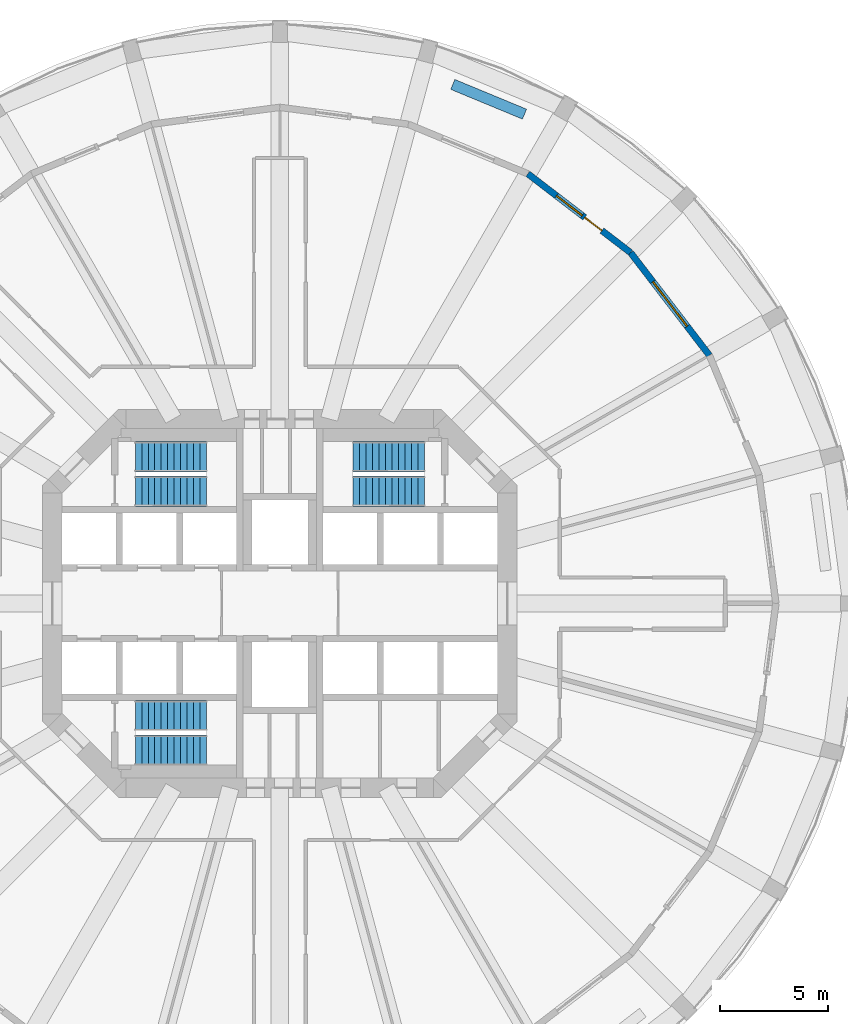
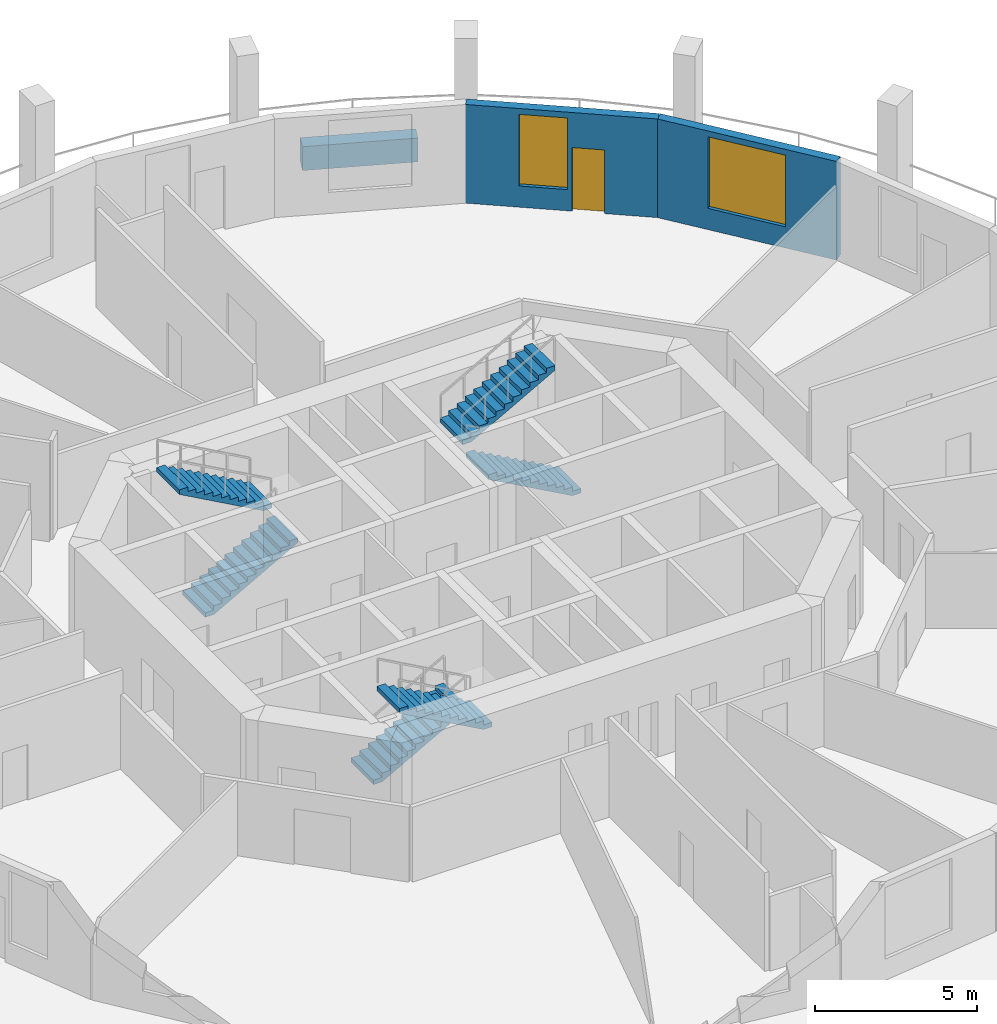
# One storey, part 7 of 9: 6 stair flights, 3 walls, 2 windows, 1 door, 3 openings, 3 elements without a shape of their own.
"""IFC4 building model written with IfcOpenShell, lengths in metres."""

import ifcopenshell
import ifcopenshell.guid

model = None  # the IFC model being written
_history = None  # IfcOwnerHistory: only IFC2X3 demands one
_inside = {}  # id of a spatial element -> (the spatial element, [elements in it])
_under = {}  # id of a project, library or spatial element -> (it, [spatial elements below it])
_declared = {}  # id of a project -> (the project, [libraries it declares])
_typed = {}  # id of a type object -> (the type object, [elements of that type])
_made_of = {}  # id of a material, layer set ... -> (it, [elements and type objects made of it])


def new_model(schema):
    """Start an empty IFC model of exactly this schema.

    Asked for "IFC4X3", IfcOpenShell would pick the latest addendum, in which some entities
    have other attributes; the version numbers below select the first issue.
    IFC2X3 requires an IfcOwnerHistory on every rooted entity: one is made here for all.
    """
    global model, _history
    if schema == "IFC4X3":
        model = ifcopenshell.file(schema_version=(4, 3, 0, 0))
    else:
        model = ifcopenshell.file(schema=schema)
    _inside.clear()
    _under.clear()
    _declared.clear()
    _typed.clear()
    _made_of.clear()
    _history = None
    if model.schema == "IFC2X3":
        org = make("IfcOrganization", Name="unknown")
        user = make(
            "IfcPersonAndOrganization",
            ThePerson=make("IfcPerson", FamilyName="unknown"),
            TheOrganization=org,
        )
        app = make(
            "IfcApplication",
            ApplicationDeveloper=org,
            Version="unknown",
            ApplicationFullName="unknown",
            ApplicationIdentifier="unknown",
        )
        _history = make(
            "IfcOwnerHistory",
            OwningUser=user,
            OwningApplication=app,
            ChangeAction="ADDED",
            CreationDate=0,
        )
    return model


def make(cls, **values):
    """One entity of the class cls with the attributes given. An attribute that is None is left unset."""
    return model.create_entity(
        cls, **{name: value for name, value in values.items() if value is not None}
    )


def rooted(cls, **values):
    """An entity with a GlobalId (a new one), such as an element, a storey or a relation."""
    return make(cls, GlobalId=ifcopenshell.guid.new(), OwnerHistory=_history, **values)


def si_unit(unit_type, name, prefix=None):
    """IfcSIUnit, for example si_unit("LENGTHUNIT", "METRE", prefix="MILLI")."""
    return make("IfcSIUnit", UnitType=unit_type, Prefix=prefix, Name=name)


def assignment(units):
    """IfcUnitAssignment: the units of a project."""
    return None if units is None else make("IfcUnitAssignment", Units=units)


def point(xyz):
    """IfcCartesianPoint."""
    return None if xyz is None else make("IfcCartesianPoint", Coordinates=xyz)


def direction(xyz):
    """IfcDirection."""
    return None if xyz is None else make("IfcDirection", DirectionRatios=xyz)


def frame(location, z_axis=None, x_axis=None):
    """IfcAxis2Placement3D, a coordinate frame: its origin and axes. An axis left out is left unset."""
    return make(
        "IfcAxis2Placement3D",
        Location=point(location),
        Axis=direction(z_axis),
        RefDirection=direction(x_axis),
    )


def frame_2d(location, x_axis=None):
    """IfcAxis2Placement2D, a coordinate frame in the plane: its origin and x axis."""
    return make(
        "IfcAxis2Placement2D", Location=point(location), RefDirection=direction(x_axis)
    )


def origin():
    """The frame at (0, 0, 0) with its axes left unset."""
    return frame((0.0, 0.0, 0.0))


def place(relative_to, where):
    """IfcLocalPlacement: puts the frame where relative to a parent placement (None: the world)."""
    return make(
        "IfcLocalPlacement", PlacementRelTo=relative_to, RelativePlacement=where
    )


def context(
    kind, dimensions, precision=None, world=None, true_north=None, identifier=None
):
    """IfcGeometricRepresentationContext, for example the 3D "Model" context."""
    return make(
        "IfcGeometricRepresentationContext",
        ContextIdentifier=identifier,
        ContextType=kind,
        CoordinateSpaceDimension=dimensions,
        Precision=precision,
        WorldCoordinateSystem=world,
        TrueNorth=true_north,
    )


def subcontext(parent, identifier, kind, view, scale=None):
    """IfcGeometricRepresentationSubContext, for example "Body" below "Model"."""
    return make(
        "IfcGeometricRepresentationSubContext",
        ContextIdentifier=identifier,
        ContextType=kind,
        ParentContext=parent,
        TargetScale=scale,
        TargetView=view,
    )


def project(units=None, contexts=None):
    """IfcProject with its units and contexts."""
    return rooted(
        "IfcProject",
        Name="project",
        RepresentationContexts=contexts,
        UnitsInContext=assignment(units),
    )


def spatial(cls, under=None, at=None, **own):
    """A site, building, storey or space (cls), placed at a placement, below another one or the project."""
    s = rooted(cls, ObjectPlacement=at, **own)
    if under is not None:
        _under.setdefault(under.id(), (under, []))[1].append(s)
    return s


def polyline(points):
    """IfcPolyline through the points."""
    return make("IfcPolyline", Points=[point(p) for p in points])


def profile(cls, at=None, kind="AREA", **sizes):
    """A parametric profile (cls). Its sizes go by their IFC names, for example OverallWidth=200.0."""
    return make(cls, ProfileType=kind, Position=at, **sizes)


def rectangle(**sizes):
    """IfcRectangleProfileDef."""
    return profile("IfcRectangleProfileDef", **sizes)


def outline(outer, holes=None, kind="AREA"):
    """IfcArbitraryClosedProfileDef: a profile drawn as a closed curve; with holes, ...WithVoids."""
    if holes is None:
        return make("IfcArbitraryClosedProfileDef", ProfileType=kind, OuterCurve=outer)
    return make(
        "IfcArbitraryProfileDefWithVoids",
        ProfileType=kind,
        OuterCurve=outer,
        InnerCurves=holes,
    )


def extrude(swept, where, along, depth):
    """IfcExtrudedAreaSolid: the profile swept, set in the frame where, extruded along a direction by depth."""
    return make(
        "IfcExtrudedAreaSolid",
        SweptArea=swept,
        Position=where,
        ExtrudedDirection=direction(along),
        Depth=depth,
    )


def shape(context_of_items, identifier, shape_type, items):
    """IfcShapeRepresentation: the items that make up one representation, for example the "Body"."""
    return make(
        "IfcShapeRepresentation",
        ContextOfItems=context_of_items,
        RepresentationIdentifier=identifier,
        RepresentationType=shape_type,
        Items=items,
    )


def material(Name=None, Category=None):
    """IfcMaterial."""
    return make("IfcMaterial", Name=Name, Category=Category)


def layer(
    of_material, thickness, ventilated=None, Name=None, Category=None, Priority=None
):
    """IfcMaterialLayer: one layer of a wall or slab, of a material (None: an air gap)."""
    return make(
        "IfcMaterialLayer",
        Material=of_material,
        LayerThickness=thickness,
        IsVentilated=ventilated,
        Name=Name,
        Category=Category,
        Priority=Priority,
    )


def layer_set(layers, Name=None):
    """IfcMaterialLayerSet."""
    return make("IfcMaterialLayerSet", MaterialLayers=layers, LayerSetName=Name)


def made_of(thing, what):
    """Note that an element or type object is made of a material, layer set ...; save() writes the relation."""
    if what is not None:
        _made_of.setdefault(what.id(), (what, []))[1].append(thing)
    return thing


def type_object(cls, material=None, **own):
    """A type object (cls), such as IfcWallType, which elements share."""
    return made_of(rooted(cls, **own), material)


def element(
    cls,
    number,
    at=None,
    inside=None,
    cuts=None,
    type_object=None,
    material=None,
    context=None,
    identifier="Body",
    shape_type=None,
    held_by="IfcProductDefinitionShape",
    body=None,
    shapes=None,
    **own,
):
    """One element of the class cls, such as IfcWall. Its Tag is "e" and its number.

    at: its placement. inside: the storey or other place that contains it. cuts: it is an
    opening in that element (IfcRelVoidsElement). A single representation is given by context,
    identifier, shape_type and body (its items); several are given by shapes. held_by: the class
    of the entity that holds the representations. save() writes the other relations.
    """
    e = rooted(cls, Tag="e%d" % number, ObjectPlacement=at, **own)
    if body is not None:
        shapes = [shape(context, identifier, shape_type, body)]
    if shapes is not None:
        e.Representation = make(held_by, Representations=shapes)
    if inside is not None:
        _inside.setdefault(inside.id(), (inside, []))[1].append(e)
    if cuts is not None:
        rooted(
            "IfcRelVoidsElement", RelatingBuildingElement=cuts, RelatedOpeningElement=e
        )
    if type_object is not None:
        _typed.setdefault(type_object.id(), (type_object, []))[1].append(e)
    return made_of(e, material)


def fill(opening, filler):
    """IfcRelFillsElement: the door or window that sits in an opening."""
    return rooted(
        "IfcRelFillsElement",
        RelatingOpeningElement=opening,
        RelatedBuildingElement=filler,
    )


def aggregate(whole, parts):
    """IfcRelAggregates: a whole, such as a stair, and the parts it consists of."""
    return rooted("IfcRelAggregates", RelatingObject=whole, RelatedObjects=parts)


def save(model, path):
    """Write the relations noted so far, then the file.

    IfcRelAggregates (storeys below a building ...), IfcRelContainedInSpatialStructure (elements
    in a storey), IfcRelDefinesByType, IfcRelAssociatesMaterial and IfcRelDeclares: one each for
    every whole, place, type object, material and project.
    """
    for whole, parts in _under.values():
        aggregate(whole, parts)
    for where, things in _inside.values():
        rooted(
            "IfcRelContainedInSpatialStructure",
            RelatedElements=things,
            RelatingStructure=where,
        )
    for kind, things in _typed.values():
        rooted("IfcRelDefinesByType", RelatedObjects=things, RelatingType=kind)
    for what, things in _made_of.values():
        rooted("IfcRelAssociatesMaterial", RelatedObjects=things, RelatingMaterial=what)
    for by, libraries in _declared.values():
        rooted("IfcRelDeclares", RelatingContext=by, RelatedDefinitions=libraries)
    model.write(path)


model = new_model("IFC4")

# Units and contexts
model_context = context("Model", 3, precision=1e-05, world=origin(), true_north=direction((0.0, 1.0)))
body_context = subcontext(model_context, "Body", "Model", "MODEL_VIEW")
ifc_project = project(units=[si_unit("LENGTHUNIT", "METRE"), si_unit("AREAUNIT", "SQUARE_METRE"), si_unit("VOLUMEUNIT", "CUBIC_METRE"), si_unit("PLANEANGLEUNIT", "RADIAN"), si_unit("MASSUNIT", "GRAM", prefix="KILO")], contexts=[model_context])

# Site, building, storey
site_placement = place(None, origin())
site = spatial("IfcSite", under=ifc_project, at=site_placement, CompositionType="ELEMENT")
building_placement = place(site_placement, origin())
building = spatial("IfcBuilding", under=site, at=building_placement, Name="Torre Triforio", CompositionType="ELEMENT")
storey_placement = place(building_placement, frame((0.0, 0.0, 71.0)))
storey = spatial("IfcBuildingStorey", under=building, at=storey_placement, Name="L15", CompositionType="ELEMENT", Elevation=71.0)

# Wall
ifc_material_1 = material(Name="Limestone cladding", Category="masonry")
ifc_layer_1 = layer(ifc_material_1, 0.10009765625)
ifc_material_2 = material(Name="Concrete C40", Category="concrete")
ifc_layer_2 = layer(ifc_material_2, 0.39990234375)
ifc_layer_set_1 = layer_set([ifc_layer_1, ifc_layer_2], Name="Limestone cladding / Concrete C40")
wall_type_1 = type_object("IfcWallType", Name="Planter wall 500", PredefinedType="PARAPET", material=ifc_layer_set_1)
wall_1_placement = place(storey_placement, frame((11.344970703125, 22.685302734375, 0.0), z_axis=(0.0, 0.0, 1.0), x_axis=(-0.923885420167, 0.382669217998, 0.0)))
element("IfcWall", 1, at=wall_1_placement, inside=storey, type_object=wall_type_1, Name="Planter L15 bay 05", PredefinedType="PARAPET", context=body_context, shape_type="SweptSolid", body=[
    extrude(rectangle(XDim=3.60009765625, YDim=0.5, at=frame_2d((1.800048828125, 0.0))), origin(), (0.0, 0.0, 1.0), 0.89990234375),
])

# Wall, opening, window
ifc_layer_3 = layer(ifc_material_1, 0.10009765625)
ifc_layer_4 = layer(ifc_material_2, 0.199951171875)
ifc_layer_set_2 = layer_set([ifc_layer_3, ifc_layer_4], Name="Limestone cladding / Concrete C40")
wall_type_2 = type_object("IfcWallType", Name="Stone-faced composite wall 300", PredefinedType="STANDARD", material=ifc_layer_set_2)
wall_2_placement = place(storey_placement, frame((19.918701171875, 11.5, 0.0), z_axis=(0.0, 0.0, 1.0), x_axis=(-0.608778912074, 0.793339924758, 0.0)))
wall_2 = element("IfcWall", 2, at=wall_2_placement, inside=storey, type_object=wall_type_2, Name="External wall L15 bay 03", PredefinedType="STANDARD", context=body_context, shape_type="SweptSolid", body=[
    extrude(rectangle(XDim=6.004150390625, YDim=0.300048828125, at=frame_2d((3.001953125, 0.0))), origin(), (0.0, 0.0, 1.0), 3.719970703125),
])
opening_1_placement = place(wall_2_placement, frame((1.7021484375, 0.0, 0.800048828125)))
opening_1 = element("IfcOpeningElement", 3, at=opening_1_placement, cuts=wall_2, Name="Opening N5-W03", PredefinedType="OPENING", context=body_context, shape_type="SweptSolid", body=[
    extrude(rectangle(XDim=2.60009765625, YDim=2.699951171875, at=frame_2d((1.300048828125, 1.35009765625))), frame((0.0, 0.159912109375, 0.0), z_axis=(0.0, -1.0, 0.0), x_axis=(1.0, 0.0, 0.0)), (0.0, 0.0, 1.0), 0.320068359375),
])
ifc_material_3 = material(Name="Aluminium frame with clear double glazing", Category="aluminium")
window_type_1 = type_object("IfcWindowType", Name="Punched window 2600 x 2700", PartitioningType="DOUBLE_PANEL_VERTICAL", PredefinedType="WINDOW", material=ifc_material_3)
window_1_placement = place(opening_1_placement, origin())
window_1 = element("IfcWindow", 4, at=window_1_placement, inside=storey, type_object=window_type_1, Name="Window EWN2 L15 bay 03", OverallHeight=2.699951171875, OverallWidth=2.60009765625, PartitioningType="SINGLE_PANEL", PredefinedType="WINDOW", context=body_context, shape_type="SweptSolid", body=[
    extrude(rectangle(XDim=2.60009765625, YDim=2.699951171875, at=frame_2d((1.300048828125, 1.35009765625))), frame((0.0, 0.030029296875, 0.0), z_axis=(0.0, -1.0, 0.0), x_axis=(1.0, 0.0, 0.0)), (0.0, 0.0, 1.0), 0.06005859375),
])
fill(opening_1, window_1)

# Wall, openings, door, window
wall_3_placement = place(storey_placement, frame((16.263427734375, 16.263427734375, 0.0), z_axis=(0.0, 0.0, 1.0), x_axis=(-0.793339924758, 0.608778912074, 0.0)))
wall_3 = element("IfcWall", 5, at=wall_3_placement, inside=storey, type_object=wall_type_2, Name="External wall L15 bay 04", PredefinedType="STANDARD", context=body_context, shape_type="SweptSolid", body=[
    extrude(rectangle(XDim=6.004150390625, YDim=0.300048828125, at=frame_2d((3.001953125, 0.0))), origin(), (0.0, 0.0, 1.0), 3.719970703125),
])
opening_2_placement = place(wall_3_placement, frame((1.677001953125, 0.0, 0.0)))
opening_2 = element("IfcOpeningElement", 6, at=opening_2_placement, cuts=wall_3, Name="Opening N5-D04", PredefinedType="OPENING", context=body_context, shape_type="SweptSolid", body=[
    extrude(rectangle(XDim=1.0, YDim=2.39990234375, at=frame_2d((0.5, 1.199951171875))), frame((0.0, 0.159912109375, 0.0), z_axis=(0.0, -1.0, 0.0), x_axis=(1.0, 0.0, 0.0)), (0.0, 0.0, 1.0), 0.320068359375),
])
opening_3_placement = place(wall_3_placement, frame((2.8271484375, 0.0, 0.800048828125)))
opening_3 = element("IfcOpeningElement", 7, at=opening_3_placement, cuts=wall_3, Name="Opening N5-W04A", PredefinedType="OPENING", context=body_context, shape_type="SweptSolid", body=[
    extrude(rectangle(XDim=1.5, YDim=2.699951171875, at=frame_2d((0.75, 1.35009765625))), frame((0.0, 0.159912109375, 0.0), z_axis=(0.0, -1.0, 0.0), x_axis=(1.0, 0.0, 0.0)), (0.0, 0.0, 1.0), 0.320068359375),
])
door_type = type_object("IfcDoorType", Name="Loggia door 1000 x 2400", OperationType="NOTDEFINED", PredefinedType="DOOR", material=ifc_material_3)
door_placement = place(opening_2_placement, origin())
door = element("IfcDoor", 8, at=door_placement, inside=storey, type_object=door_type, Name="Loggia door L15 bay 04", OperationType="SINGLE_SWING_LEFT", OverallHeight=2.39990234375, OverallWidth=1.0, PredefinedType="DOOR", context=body_context, shape_type="SweptSolid", body=[
    extrude(rectangle(XDim=1.0, YDim=2.39990234375, at=frame_2d((0.5, 1.199951171875))), frame((0.0, 0.02490234375, 0.0), z_axis=(0.0, -1.0, 0.0), x_axis=(1.0, 0.0, 0.0)), (0.0, 0.0, 1.0), 0.050048828125),
])
fill(opening_2, door)
window_type_2 = type_object("IfcWindowType", Name="Side window 1500 x 2700", PartitioningType="SINGLE_PANEL", PredefinedType="WINDOW", material=ifc_material_3)
window_2_placement = place(opening_3_placement, origin())
window_2 = element("IfcWindow", 9, at=window_2_placement, inside=storey, type_object=window_type_2, Name="Side window EWN12 L15 bay 04", OverallHeight=2.699951171875, OverallWidth=1.5, PartitioningType="SINGLE_PANEL", PredefinedType="WINDOW", context=body_context, shape_type="SweptSolid", body=[
    extrude(rectangle(XDim=1.5, YDim=2.699951171875, at=frame_2d((0.75, 1.35009765625))), frame((0.0, 0.030029296875, 0.0), z_axis=(0.0, -1.0, 0.0), x_axis=(1.0, 0.0, 0.0)), (0.0, 0.0, 1.0), 0.06005859375),
])
fill(opening_3, window_2)

# Stair, stair flights
stair_type = type_object("IfcStairType", Name="STAIR HALF-TURN", PredefinedType="HALF_TURN_STAIR", material=ifc_material_2)
stair_1_placement = place(storey_placement, origin())
stair_1 = element("IfcStair", 10, at=stair_1_placement, inside=storey, type_object=stair_type, Name="Exit stair 1", PredefinedType="HALF_TURN_STAIR")
stair_flight_type = type_object("IfcStairFlightType", Name="STAIR FLIGHT 1400", PredefinedType="STRAIGHT", material=ifc_material_2)
stair_flight_1_placement = place(storey_placement, frame((-6.699951171875, 5.199951171875, 0.0), z_axis=(0.0, 0.0, 1.0), x_axis=(1.0, 0.0, 0.0)))
stair_flight_1 = element("IfcStairFlight", 11, at=stair_flight_1_placement, type_object=stair_flight_type, Name="ST1 flight 1", NumberOfRisers=12, NumberOfTreads=11, PredefinedType="STRAIGHT", RiserHeight=0.166666667, TreadLength=0.3, context=body_context, shape_type="SweptSolid", body=[
    extrude(outline(polyline([(0.0, 0.0), (0.0, 0.166748046875), (0.300048828125, 0.166748046875), (0.300048828125, 0.333251953125), (0.60009765625, 0.333251953125), (0.60009765625, 0.5), (0.89990234375, 0.5), (0.89990234375, 0.666748046875), (1.199951171875, 0.666748046875), (1.199951171875, 0.833251953125), (1.5, 0.833251953125), (1.5, 1.0), (1.800048828125, 1.0), (1.800048828125, 1.166748046875), (2.10009765625, 1.166748046875), (2.10009765625, 1.333251953125), (2.39990234375, 1.333251953125), (2.39990234375, 1.5), (2.699951171875, 1.5), (2.699951171875, 1.666748046875), (3.0, 1.666748046875), (3.0, 1.833251953125), (3.300048828125, 1.833251953125), (3.300048828125, 2.0), (3.300048828125, 1.661865234375), (0.30859375, 0.0), (0.0, 0.0)])), frame((0.0, 0.699951171875, 0.0), z_axis=(0.0, -1.0, 0.0), x_axis=(1.0, 0.0, 0.0)), (0.0, 0.0, 1.0), 1.39990234375),
])
stair_flight_2_placement = place(storey_placement, frame((-3.39990234375, 6.800048828125, 2.0), z_axis=(0.0, 0.0, 1.0), x_axis=(-1.0, 0.0, 0.0)))
stair_flight_2 = element("IfcStairFlight", 12, at=stair_flight_2_placement, type_object=stair_flight_type, Name="ST1 flight 2", NumberOfRisers=12, NumberOfTreads=11, PredefinedType="STRAIGHT", RiserHeight=0.166666667, TreadLength=0.3, context=body_context, shape_type="SweptSolid", body=[
    extrude(outline(polyline([(0.0, 0.0), (0.0, 0.166748046875), (0.300048828125, 0.166748046875), (0.300048828125, 0.333251953125), (0.60009765625, 0.333251953125), (0.60009765625, 0.5), (0.89990234375, 0.5), (0.89990234375, 0.666748046875), (1.199951171875, 0.666748046875), (1.199951171875, 0.833251953125), (1.5, 0.833251953125), (1.5, 1.0), (1.800048828125, 1.0), (1.800048828125, 1.166748046875), (2.10009765625, 1.166748046875), (2.10009765625, 1.333251953125), (2.39990234375, 1.333251953125), (2.39990234375, 1.5), (2.699951171875, 1.5), (2.699951171875, 1.666748046875), (3.0, 1.666748046875), (3.0, 1.833251953125), (3.300048828125, 1.833251953125), (3.300048828125, 2.0), (3.300048828125, 1.661865234375), (0.30859375, 0.0), (0.0, 0.0)])), frame((0.0, 0.699951171875, 0.0), z_axis=(0.0, -1.0, 0.0), x_axis=(1.0, 0.0, 0.0)), (0.0, 0.0, 1.0), 1.39990234375),
])
aggregate(stair_1, [stair_flight_1, stair_flight_2])

stair_2_placement = place(storey_placement, origin())
stair_2 = element("IfcStair", 13, at=stair_2_placement, inside=storey, type_object=stair_type, Name="Exit stair 2", PredefinedType="HALF_TURN_STAIR")
stair_flight_3_placement = place(storey_placement, frame((6.699951171875, 5.199951171875, 0.0), z_axis=(0.0, 0.0, 1.0), x_axis=(-1.0, 0.0, 0.0)))
stair_flight_3 = element("IfcStairFlight", 14, at=stair_flight_3_placement, type_object=stair_flight_type, Name="ST2 flight 1", NumberOfRisers=12, NumberOfTreads=11, PredefinedType="STRAIGHT", RiserHeight=0.166666667, TreadLength=0.3, context=body_context, shape_type="SweptSolid", body=[
    extrude(outline(polyline([(0.0, 0.0), (0.0, 0.166748046875), (0.300048828125, 0.166748046875), (0.300048828125, 0.333251953125), (0.60009765625, 0.333251953125), (0.60009765625, 0.5), (0.89990234375, 0.5), (0.89990234375, 0.666748046875), (1.199951171875, 0.666748046875), (1.199951171875, 0.833251953125), (1.5, 0.833251953125), (1.5, 1.0), (1.800048828125, 1.0), (1.800048828125, 1.166748046875), (2.10009765625, 1.166748046875), (2.10009765625, 1.333251953125), (2.39990234375, 1.333251953125), (2.39990234375, 1.5), (2.699951171875, 1.5), (2.699951171875, 1.666748046875), (3.0, 1.666748046875), (3.0, 1.833251953125), (3.300048828125, 1.833251953125), (3.300048828125, 2.0), (3.300048828125, 1.661865234375), (0.30859375, 0.0), (0.0, 0.0)])), frame((0.0, 0.699951171875, 0.0), z_axis=(0.0, -1.0, 0.0), x_axis=(1.0, 0.0, 0.0)), (0.0, 0.0, 1.0), 1.39990234375),
])
stair_flight_4_placement = place(storey_placement, frame((3.39990234375, 6.800048828125, 2.0), z_axis=(0.0, 0.0, 1.0), x_axis=(1.0, 0.0, 0.0)))
stair_flight_4 = element("IfcStairFlight", 15, at=stair_flight_4_placement, type_object=stair_flight_type, Name="ST2 flight 2", NumberOfRisers=12, NumberOfTreads=11, PredefinedType="STRAIGHT", RiserHeight=0.166666667, TreadLength=0.3, context=body_context, shape_type="SweptSolid", body=[
    extrude(outline(polyline([(0.0, 0.0), (0.0, 0.166748046875), (0.300048828125, 0.166748046875), (0.300048828125, 0.333251953125), (0.60009765625, 0.333251953125), (0.60009765625, 0.5), (0.89990234375, 0.5), (0.89990234375, 0.666748046875), (1.199951171875, 0.666748046875), (1.199951171875, 0.833251953125), (1.5, 0.833251953125), (1.5, 1.0), (1.800048828125, 1.0), (1.800048828125, 1.166748046875), (2.10009765625, 1.166748046875), (2.10009765625, 1.333251953125), (2.39990234375, 1.333251953125), (2.39990234375, 1.5), (2.699951171875, 1.5), (2.699951171875, 1.666748046875), (3.0, 1.666748046875), (3.0, 1.833251953125), (3.300048828125, 1.833251953125), (3.300048828125, 2.0), (3.300048828125, 1.661865234375), (0.30859375, 0.0), (0.0, 0.0)])), frame((0.0, 0.699951171875, 0.0), z_axis=(0.0, -1.0, 0.0), x_axis=(1.0, 0.0, 0.0)), (0.0, 0.0, 1.0), 1.39990234375),
])
aggregate(stair_2, [stair_flight_3, stair_flight_4])

stair_3_placement = place(storey_placement, origin())
stair_3 = element("IfcStair", 16, at=stair_3_placement, inside=storey, type_object=stair_type, Name="Exit stair 3", PredefinedType="HALF_TURN_STAIR")
stair_flight_5_placement = place(storey_placement, frame((-6.699951171875, -5.199951171875, 0.0), z_axis=(0.0, 0.0, 1.0), x_axis=(1.0, 0.0, 0.0)))
stair_flight_5 = element("IfcStairFlight", 17, at=stair_flight_5_placement, type_object=stair_flight_type, Name="ST3 flight 1", NumberOfRisers=12, NumberOfTreads=11, PredefinedType="STRAIGHT", RiserHeight=0.166666667, TreadLength=0.3, context=body_context, shape_type="SweptSolid", body=[
    extrude(outline(polyline([(0.0, 0.0), (0.0, 0.166748046875), (0.300048828125, 0.166748046875), (0.300048828125, 0.333251953125), (0.60009765625, 0.333251953125), (0.60009765625, 0.5), (0.89990234375, 0.5), (0.89990234375, 0.666748046875), (1.199951171875, 0.666748046875), (1.199951171875, 0.833251953125), (1.5, 0.833251953125), (1.5, 1.0), (1.800048828125, 1.0), (1.800048828125, 1.166748046875), (2.10009765625, 1.166748046875), (2.10009765625, 1.333251953125), (2.39990234375, 1.333251953125), (2.39990234375, 1.5), (2.699951171875, 1.5), (2.699951171875, 1.666748046875), (3.0, 1.666748046875), (3.0, 1.833251953125), (3.300048828125, 1.833251953125), (3.300048828125, 2.0), (3.300048828125, 1.661865234375), (0.30859375, 0.0), (0.0, 0.0)])), frame((0.0, 0.699951171875, 0.0), z_axis=(0.0, -1.0, 0.0), x_axis=(1.0, 0.0, 0.0)), (0.0, 0.0, 1.0), 1.39990234375),
])
stair_flight_6_placement = place(storey_placement, frame((-3.39990234375, -6.800048828125, 2.0), z_axis=(0.0, 0.0, 1.0), x_axis=(-1.0, 0.0, 0.0)))
stair_flight_6 = element("IfcStairFlight", 18, at=stair_flight_6_placement, type_object=stair_flight_type, Name="ST3 flight 2", NumberOfRisers=12, NumberOfTreads=11, PredefinedType="STRAIGHT", RiserHeight=0.166666667, TreadLength=0.3, context=body_context, shape_type="SweptSolid", body=[
    extrude(outline(polyline([(0.0, 0.0), (0.0, 0.166748046875), (0.300048828125, 0.166748046875), (0.300048828125, 0.333251953125), (0.60009765625, 0.333251953125), (0.60009765625, 0.5), (0.89990234375, 0.5), (0.89990234375, 0.666748046875), (1.199951171875, 0.666748046875), (1.199951171875, 0.833251953125), (1.5, 0.833251953125), (1.5, 1.0), (1.800048828125, 1.0), (1.800048828125, 1.166748046875), (2.10009765625, 1.166748046875), (2.10009765625, 1.333251953125), (2.39990234375, 1.333251953125), (2.39990234375, 1.5), (2.699951171875, 1.5), (2.699951171875, 1.666748046875), (3.0, 1.666748046875), (3.0, 1.833251953125), (3.300048828125, 1.833251953125), (3.300048828125, 2.0), (3.300048828125, 1.661865234375), (0.30859375, 0.0), (0.0, 0.0)])), frame((0.0, 0.699951171875, 0.0), z_axis=(0.0, -1.0, 0.0), x_axis=(1.0, 0.0, 0.0)), (0.0, 0.0, 1.0), 1.39990234375),
])
aggregate(stair_3, [stair_flight_5, stair_flight_6])

save(model, "model.ifc")
